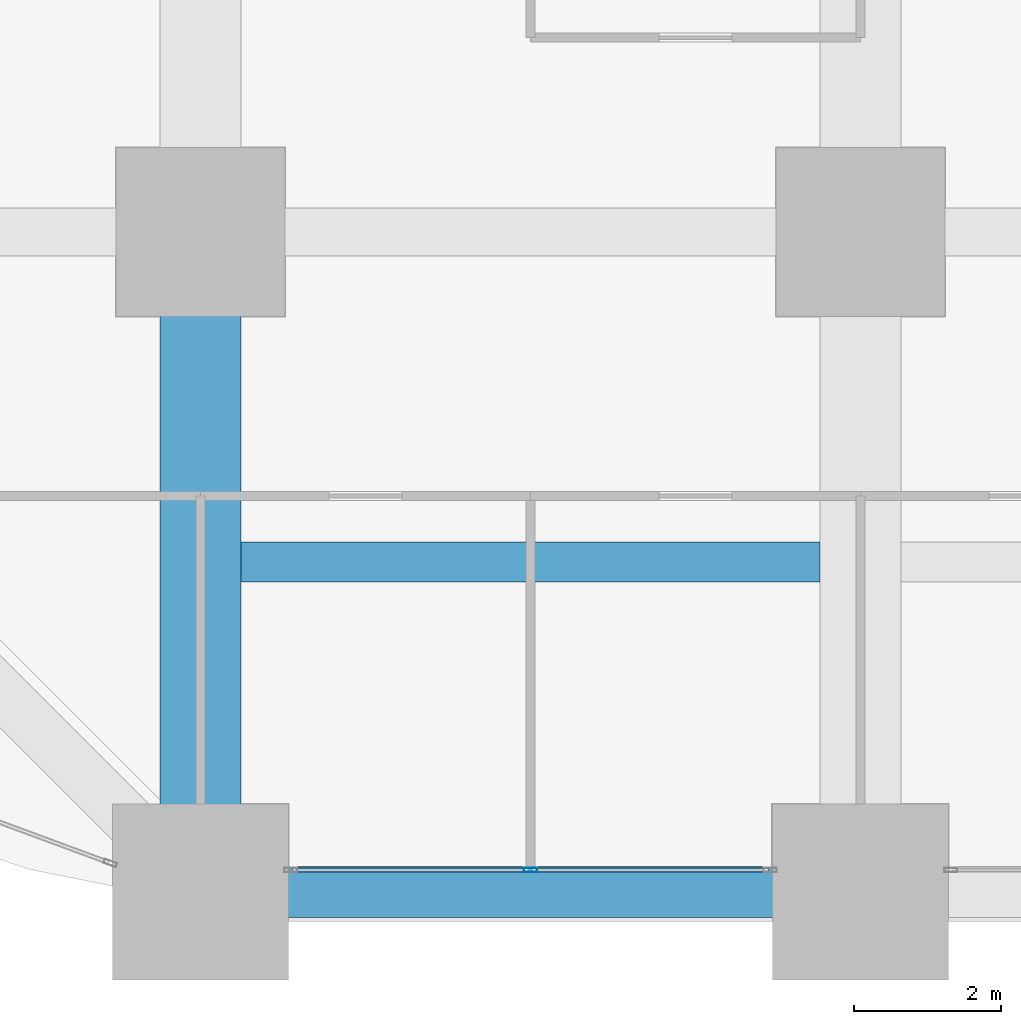
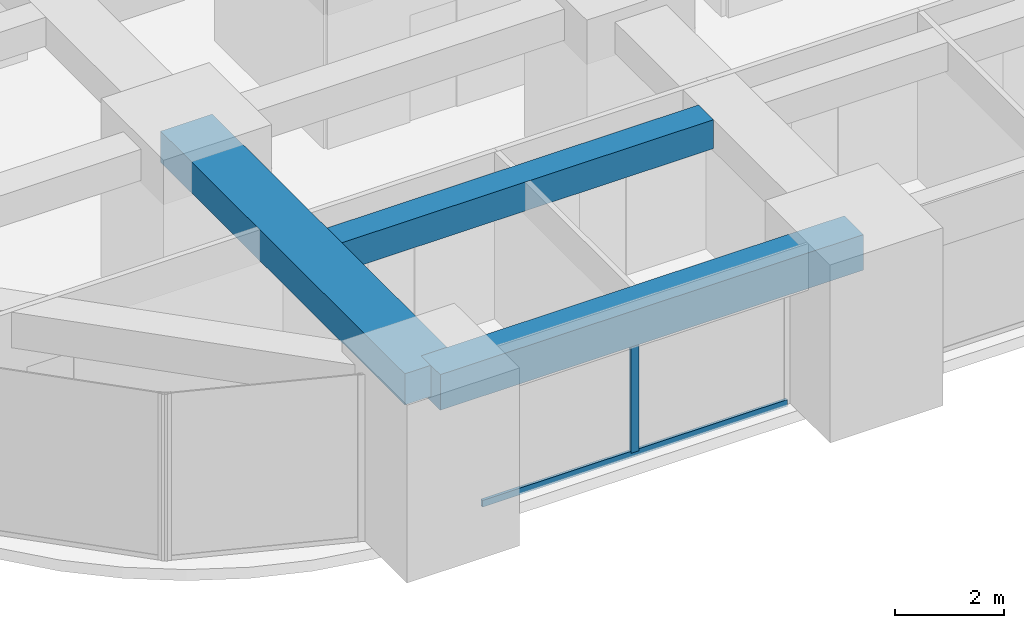
# One storey, part 3 of 45: 3 beams, 2 members, 1 element without a shape of its own.
"""IFC4 building model written with IfcOpenShell, lengths in metres."""

from ifc_helpers import new_model, si_unit, direction, frame, origin, origin_2d, place, context, subcontext, project, spatial, rectangle, hollow_rectangle, extrude, material, material_profile, profile_set, type_object, element, aggregate, save


model = new_model("IFC4")

# Units and contexts
model_context = context("Model", 3, precision=1e-05, world=origin(), true_north=direction((0.0, 1.0)))
body_context = subcontext(model_context, "Body", "Model", "MODEL_VIEW")
ifc_project = project(units=[si_unit("LENGTHUNIT", "METRE"), si_unit("AREAUNIT", "SQUARE_METRE"), si_unit("VOLUMEUNIT", "CUBIC_METRE"), si_unit("PLANEANGLEUNIT", "RADIAN"), si_unit("MASSUNIT", "GRAM", prefix="KILO")], contexts=[model_context])

# Site, building, storey
site_placement = place(None, origin())
site = spatial("IfcSite", under=ifc_project, at=site_placement, CompositionType="ELEMENT")
building_placement = place(site_placement, origin())
building = spatial("IfcBuilding", under=site, at=building_placement, Name="Zorevar Civic Tower", CompositionType="ELEMENT")
storey_placement = place(building_placement, frame((0.0, 0.0, 23.800048828125)))
storey = spatial("IfcBuildingStorey", under=building, at=storey_placement, Name="L05", CompositionType="ELEMENT", Elevation=23.800048828125)

# Beams
ifc_material_1 = material(Name="Concrete C50/60", Category="concrete")
ifc_material_profile_1 = material_profile(ifc_material_1, rectangle(XDim=1.10009765625, YDim=0.699951171875, at=origin_2d()), Name="RC 1100x700")
ifc_profile_set_1 = profile_set([ifc_material_profile_1], Name="Concrete C50/60")
beam_type_1 = type_object("IfcBeamType", Name="Beam RC 1100x700", PredefinedType="BEAM", material=ifc_profile_set_1)
beam_1_placement = place(storey_placement, frame((9.0, 0.0, 3.39990234375), z_axis=(0.0, 1.0, 0.0), x_axis=(-1.0, 0.0, 0.0)))
element("IfcBeam", 1, at=beam_1_placement, inside=storey, type_object=beam_type_1, Name="Girder L06", PredefinedType="BEAM", context=body_context, shape_type="SweptSolid", body=[
    extrude(rectangle(XDim=1.10009765625, YDim=0.699951171875, at=origin_2d()), origin(), (0.0, 0.0, 1.0), 9.0),
])
ifc_material_2 = material(Name="Concrete C50/60", Category="concrete")
ifc_material_profile_2 = material_profile(ifc_material_2, rectangle(XDim=0.550048828125, YDim=0.64990234375, at=origin_2d()), Name="RC 550x650")
ifc_profile_set_2 = profile_set([ifc_material_profile_2], Name="Concrete C50/60")
beam_type_2 = type_object("IfcBeamType", Name="Beam RC 550x650", PredefinedType="BEAM", material=ifc_profile_set_2)
beam_2_placement = place(storey_placement, frame((9.550048828125, 4.5, 3.425048828125), z_axis=(1.0, 0.0, 0.0), x_axis=(0.0, 1.0, 0.0)))
element("IfcBeam", 2, at=beam_2_placement, inside=storey, type_object=beam_type_2, Name="Secondary beam L06", PredefinedType="BEAM", context=body_context, shape_type="SweptSolid", body=[
    extrude(rectangle(XDim=0.550048828125, YDim=0.64990234375, at=origin_2d()), origin(), (0.0, 0.0, 1.0), 7.89990234375),
])

# Curtain wall, members
ifc_material_3 = material(Name="Dark grey solar-control glass in black aluminium frame", Category="aluminium")
curtain_wall_type = type_object("IfcCurtainWallType", Name="Curtain wall CW2 low zone", PredefinedType="NOTDEFINED", material=ifc_material_3)
curtain_wall_placement = place(storey_placement, origin())
curtain_wall = element("IfcCurtainWall", 3, at=curtain_wall_placement, inside=storey, type_object=curtain_wall_type, Name="CW2 L05", PredefinedType="NOTDEFINED")
ifc_material_4 = material(Name="Aluminium, black anodised", Category="aluminium")
ifc_material_profile_3 = material_profile(ifc_material_4, hollow_rectangle(XDim=0.06005859375, YDim=0.179931640625, WallThickness=0.00390625, at=origin_2d()), Name="AL 180x60x4")
ifc_profile_set_3 = profile_set([ifc_material_profile_3], Name="Aluminium, black anodised")
member_type_1 = type_object("IfcMemberType", Name="CW2 mullion AL 180x60x4", PredefinedType="MULLION", material=ifc_profile_set_3)
member_1_placement = place(storey_placement, frame((13.5, 0.300048828125, 0.06005859375), z_axis=(0.0, 0.0, 1.0), x_axis=(0.0, 1.0, 0.0)))
member_1 = element("IfcMember", 4, at=member_1_placement, type_object=member_type_1, Name="CW2 mullion 2", PredefinedType="MULLION", context=body_context, shape_type="SweptSolid", body=[
    extrude(hollow_rectangle(XDim=0.06005859375, YDim=0.179931640625, WallThickness=0.00390625, at=origin_2d()), origin(), (0.0, 0.0, 1.0), 2.889892578125),
])
ifc_material_5 = material(Name="Aluminium, black anodised", Category="aluminium")
ifc_material_profile_4 = material_profile(ifc_material_5, hollow_rectangle(XDim=0.06005859375, YDim=0.14990234375, WallThickness=0.00390625, at=origin_2d()), Name="AL 150x60x4")
ifc_profile_set_4 = profile_set([ifc_material_profile_4], Name="Aluminium, black anodised")
member_type_2 = type_object("IfcMemberType", Name="CW2 transom AL 150x60x4", PredefinedType="USERDEFINED", material=ifc_profile_set_4)
member_2_placement = place(storey_placement, frame((10.260009765625, 0.300048828125, 0.030029296875), z_axis=(1.0, 0.0, 0.0), x_axis=(0.0, 1.0, 0.0)))
member_2 = element("IfcMember", 5, at=member_2_placement, type_object=member_type_2, Name="CW2 sill transom", ObjectType="TRANSOM", PredefinedType="USERDEFINED", context=body_context, shape_type="SweptSolid", body=[
    extrude(hollow_rectangle(XDim=0.06005859375, YDim=0.14990234375, WallThickness=0.00390625, at=origin_2d()), origin(), (0.0, 0.0, 1.0), 6.47998046875),
])
aggregate(curtain_wall, [member_1, member_2])

# Beam
ifc_material_6 = material(Name="Concrete C50/60", Category="concrete")
ifc_material_profile_5 = material_profile(ifc_material_6, rectangle(XDim=0.699951171875, YDim=0.800048828125, at=origin_2d()), Name="RC 700x800")
ifc_profile_set_5 = profile_set([ifc_material_profile_5], Name="Concrete C50/60")
beam_type_3 = type_object("IfcBeamType", Name="Edge beam RC 700x800", PredefinedType="SPANDREL", material=ifc_profile_set_5)
beam_3_placement = place(storey_placement, frame((9.0, 0.0, 3.349853515625), z_axis=(1.0, 0.0, 0.0), x_axis=(0.0, 1.0, 0.0)))
element("IfcBeam", 6, at=beam_3_placement, inside=storey, type_object=beam_type_3, Name="Edge beam L06", PredefinedType="SPANDREL", context=body_context, shape_type="SweptSolid", body=[
    extrude(rectangle(XDim=0.699951171875, YDim=0.800048828125, at=origin_2d()), origin(), (0.0, 0.0, 1.0), 9.0),
])

save(model, "model.ifc")
